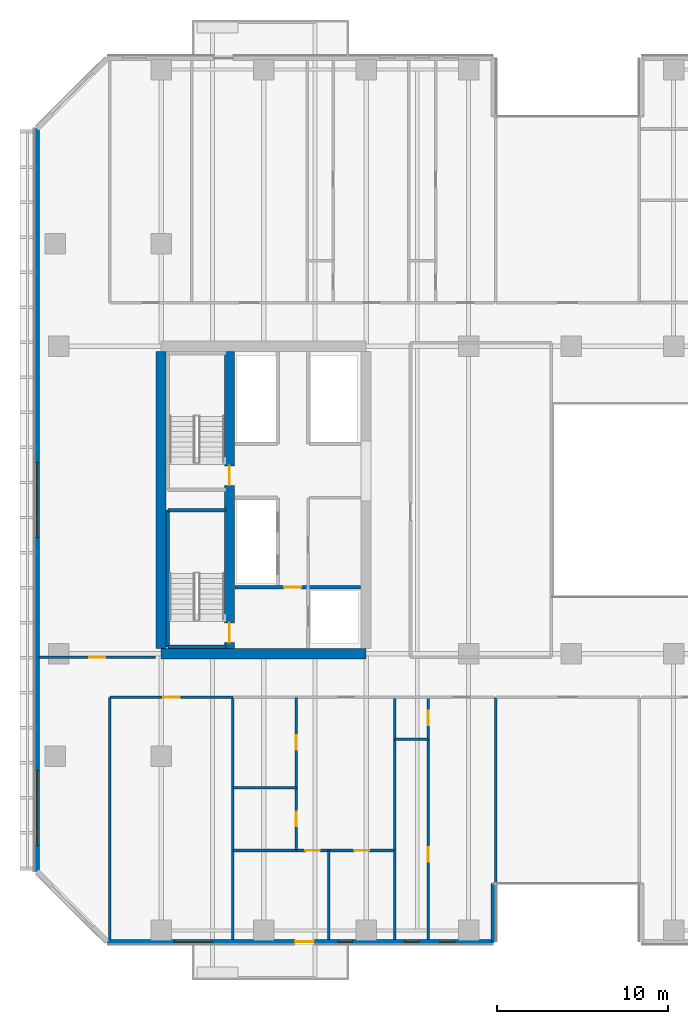
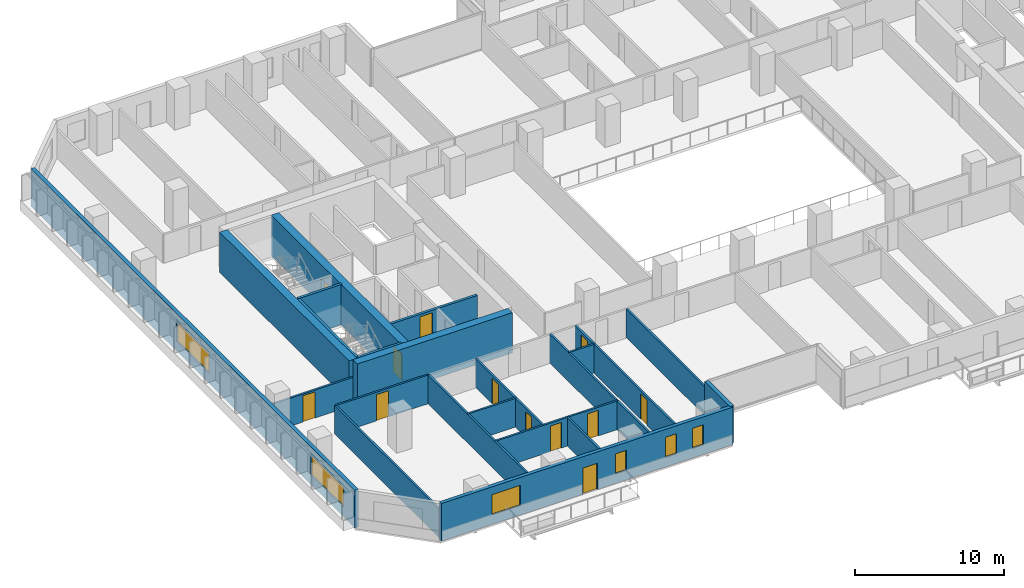
# One storey, part 10 of 26: 22 walls, 12 doors, 6 windows, 18 openings.
"""IFC4 building model written with IfcOpenShell, lengths in metres."""

from ifc_helpers import new_model, si_unit, direction, frame, frame_2d, origin, place, context, subcontext, project, spatial, rectangle, extrude, material, layer, layer_set, type_object, element, fill, save


model = new_model("IFC4")

# Units and contexts
model_context = context("Model", 3, precision=1e-05, world=origin(), true_north=direction((0.0, 1.0)))
body_context = subcontext(model_context, "Body", "Model", "MODEL_VIEW")
ifc_project = project(units=[si_unit("LENGTHUNIT", "METRE"), si_unit("AREAUNIT", "SQUARE_METRE"), si_unit("VOLUMEUNIT", "CUBIC_METRE"), si_unit("PLANEANGLEUNIT", "RADIAN"), si_unit("MASSUNIT", "GRAM", prefix="KILO")], contexts=[model_context])

# Site, building, storey
site_placement = place(None, origin())
site = spatial("IfcSite", under=ifc_project, at=site_placement, CompositionType="ELEMENT")
building_placement = place(site_placement, origin())
building = spatial("IfcBuilding", under=site, at=building_placement, Name="Tanjung Sevakor Pilgrim Tower", CompositionType="ELEMENT")
storey_placement = place(building_placement, frame((0.0, 0.0, 48.840087890625)))
storey = spatial("IfcBuildingStorey", under=building, at=storey_placement, Name="L13", CompositionType="ELEMENT", Elevation=48.840087890625)

# Walls
ifc_material_1 = material(Name="Concrete C60/75", Category="concrete")
ifc_layer_1 = layer(ifc_material_1, 0.60009765625)
ifc_layer_set_1 = layer_set([ifc_layer_1], Name="WALL-CW-600")
wall_type_1 = type_object("IfcWallType", Name="WALL-CW-600", PredefinedType="SHEAR", material=ifc_layer_set_1)
wall_1_placement = place(storey_placement, frame((24.0, 24.60009765625, 0.0), z_axis=(0.0, 0.0, 1.0), x_axis=(1.0, 0.0, 0.0)))
element("IfcWall", 1, at=wall_1_placement, inside=storey, type_object=wall_type_1, Name="L13 W Core South Shear Wall", PredefinedType="SHEAR", context=body_context, shape_type="SweptSolid", body=[
    extrude(rectangle(XDim=12.0, YDim=0.60009765625, at=frame_2d((6.0, 0.0))), origin(), (0.0, 0.0, 1.0), 3.2998046875),
])
wall_2_placement = place(storey_placement, frame((24.0, 24.89990234375, 0.0), z_axis=(0.0, 0.0, 1.0), x_axis=(0.0, 1.0, 0.0)))
element("IfcWall", 2, at=wall_2_placement, inside=storey, type_object=wall_type_1, Name="L13 W Core Outer Shear Wall", PredefinedType="SHEAR", context=body_context, shape_type="SweptSolid", body=[
    extrude(rectangle(XDim=17.400146484375, YDim=0.60009765625, at=frame_2d((8.7001953125, 0.0))), origin(), (0.0, 0.0, 1.0), 3.2998046875),
])

# Wall, openings, doors
wall_3_placement = place(storey_placement, frame((28.0, 24.89990234375, 0.0), z_axis=(0.0, 0.0, 1.0), x_axis=(0.0, 1.0, 0.0)))
wall_3 = element("IfcWall", 3, at=wall_3_placement, inside=storey, type_object=wall_type_1, Name="L13 W Core Stair Spine Wall", PredefinedType="SHEAR", context=body_context, shape_type="SweptSolid", body=[
    extrude(rectangle(XDim=17.400146484375, YDim=0.60009765625, at=frame_2d((8.7001953125, 0.0))), origin(), (0.0, 0.0, 1.0), 3.2998046875),
])
opening_1_placement = place(wall_3_placement, frame((0.35009765625, 0.0, 0.0)))
opening_1 = element("IfcOpeningElement", 4, at=opening_1_placement, cuts=wall_3, Name="Opening ID-ST1", PredefinedType="OPENING", context=body_context, shape_type="SweptSolid", body=[
    extrude(rectangle(XDim=1.14990234375, YDim=2.14990234375, at=frame_2d((0.574951171875, 1.074951171875))), frame((0.0, 0.31005859375, 0.0), z_axis=(0.0, -1.0, 0.0), x_axis=(1.0, 0.0, 0.0)), (0.0, 0.0, 1.0), 0.6201171875),
])
opening_2_placement = place(wall_3_placement, frame((9.550048828125, 0.0, 0.0)))
opening_2 = element("IfcOpeningElement", 5, at=opening_2_placement, cuts=wall_3, Name="Opening ID-ST1", PredefinedType="OPENING", context=body_context, shape_type="SweptSolid", body=[
    extrude(rectangle(XDim=1.14990234375, YDim=2.14990234375, at=frame_2d((0.574951171875, 1.074951171875))), frame((0.0, 0.31005859375, 0.0), z_axis=(0.0, -1.0, 0.0), x_axis=(1.0, 0.0, 0.0)), (0.0, 0.0, 1.0), 0.6201171875),
])
ifc_material_2 = material(Name="Fire-Rated Steel S355J2", Category="steel")
door_type_1 = type_object("IfcDoorType", Name="DT-FIRE-1150", OperationType="NOTDEFINED", PredefinedType="DOOR", material=ifc_material_2)
door_1_placement = place(opening_1_placement, origin())
door_1 = element("IfcDoor", 6, at=door_1_placement, inside=storey, type_object=door_type_1, Name="L13 TS-W1 Stair Fire Door", OperationType="SINGLE_SWING_RIGHT", OverallHeight=2.14990234375, OverallWidth=1.14990234375, PredefinedType="DOOR", context=body_context, shape_type="SweptSolid", body=[
    extrude(rectangle(XDim=1.14990234375, YDim=2.14990234375, at=frame_2d((0.574951171875, 1.074951171875))), frame((0.0, 0.02490234375, 0.0), z_axis=(0.0, -1.0, 0.0), x_axis=(1.0, 0.0, 0.0)), (0.0, 0.0, 1.0), 0.050048828125),
])
fill(opening_1, door_1)
door_2_placement = place(opening_2_placement, origin())
door_2 = element("IfcDoor", 7, at=door_2_placement, inside=storey, type_object=door_type_1, Name="L13 TS-W2 Stair Fire Door", OperationType="SINGLE_SWING_LEFT", OverallHeight=2.14990234375, OverallWidth=1.14990234375, PredefinedType="DOOR", context=body_context, shape_type="SweptSolid", body=[
    extrude(rectangle(XDim=1.14990234375, YDim=2.14990234375, at=frame_2d((0.574951171875, 1.074951171875))), frame((0.0, 0.02490234375, 0.0), z_axis=(0.0, -1.0, 0.0), x_axis=(1.0, 0.0, 0.0)), (0.0, 0.0, 1.0), 0.050048828125),
])
fill(opening_2, door_2)

# Wall, opening, door
ifc_material_3 = material(Name="Concrete C40/50", Category="concrete")
ifc_layer_2 = layer(ifc_material_3, 0.14990234375)
ifc_layer_set_2 = layer_set([ifc_layer_2], Name="WT-COMP-150")
wall_type_2 = type_object("IfcWallType", Name="WT-COMP-150", PredefinedType="SOLIDWALL", material=ifc_layer_set_2)
wall_4_placement = place(storey_placement, frame((16.840087890625, 24.39990234375, 0.0), z_axis=(0.0, 0.0, 1.0), x_axis=(1.0, 0.0, 0.0)))
wall_4 = element("IfcWall", 8, at=wall_4_placement, inside=storey, type_object=wall_type_2, Name="L13 Partition IW-L13-029", PredefinedType="SOLIDWALL", context=body_context, shape_type="SweptSolid", body=[
    extrude(rectangle(XDim=6.83984375, YDim=0.14990234375, at=frame_2d((3.419921875, 0.0))), origin(), (0.0, 0.0, 1.0), 2.295166015625),
])
opening_3_placement = place(wall_4_placement, frame((2.945068359375, 0.0, 0.0)))
opening_3 = element("IfcOpeningElement", 9, at=opening_3_placement, cuts=wall_4, Name="Opening ID-FD2", PredefinedType="OPENING", context=body_context, shape_type="SweptSolid", body=[
    extrude(rectangle(XDim=0.949951171875, YDim=2.14990234375, at=frame_2d((0.47509765625, 1.074951171875))), frame((0.0, 0.0849609375, 0.0), z_axis=(0.0, -1.0, 0.0), x_axis=(1.0, 0.0, 0.0)), (0.0, 0.0, 1.0), 0.169921875),
])
ifc_material_4 = material(Name="Fire-Rated Timber", Category="wood")
door_type_2 = type_object("IfcDoorType", Name="DT-FIRE-950", OperationType="NOTDEFINED", PredefinedType="DOOR", material=ifc_material_4)
door_3_placement = place(opening_3_placement, origin())
door_3 = element("IfcDoor", 10, at=door_3_placement, inside=storey, type_object=door_type_2, Name="Study Room Entrance", OperationType="SINGLE_SWING_LEFT", OverallHeight=2.14990234375, OverallWidth=0.949951171875, PredefinedType="DOOR", context=body_context, shape_type="SweptSolid", body=[
    extrude(rectangle(XDim=0.949951171875, YDim=2.14990234375, at=frame_2d((0.47509765625, 1.074951171875))), frame((0.0, 0.02490234375, 0.0), z_axis=(0.0, -1.0, 0.0), x_axis=(1.0, 0.0, 0.0)), (0.0, 0.0, 1.0), 0.050048828125),
])
fill(opening_3, door_3)

# Walls
for number, where, z_axis, x_axis, name in (
    (11, (43.60009765625, 7.8798828125, 0.0), (0.0, 0.0, 1.0), (0.0, 1.0, 0.0), "L13 Partition IW-L13-037"),
    (12, (21.0, 7.8798828125, 0.0), (0.0, 0.0, 1.0), (0.0, 1.0, 0.0), "L13 Partition IW-L13-042"),
    (13, (28.20654296875, 7.8798828125, 0.0), (0.0, 0.0, 1.0), (0.0, 1.0, 0.0), "L13 Partition IW-L13-043"),
):
    element("IfcWall", number, at=place(storey_placement, frame(where, z_axis=z_axis, x_axis=x_axis)), inside=storey, type_object=wall_type_2, Name=name, PredefinedType="SOLIDWALL", context=body_context, shape_type="SweptSolid", body=[
        extrude(rectangle(XDim=14.170166015625, YDim=0.14990234375, at=frame_2d((7.0849609375, 0.0))), origin(), (0.0, 0.0, 1.0), 2.35009765625),
    ])

# Wall, opening, door
wall_5_placement = place(storey_placement, frame((21.0, 22.050048828125, 0.0), z_axis=(0.0, 0.0, 1.0), x_axis=(1.0, 0.0, 0.0)))
wall_5 = element("IfcWall", 14, at=wall_5_placement, inside=storey, type_object=wall_type_2, Name="L13 Partition IW-L13-044", PredefinedType="SOLIDWALL", context=body_context, shape_type="SweptSolid", body=[
    extrude(rectangle(XDim=7.20654296875, YDim=0.14990234375, at=frame_2d((3.603271484375, 0.0))), origin(), (0.0, 0.0, 1.0), 2.35009765625),
])
opening_4_placement = place(wall_5_placement, frame((3.128173828125, 0.0, 0.0)))
opening_4 = element("IfcOpeningElement", 15, at=opening_4_placement, cuts=wall_5, Name="Opening ID-FD2", PredefinedType="OPENING", context=body_context, shape_type="SweptSolid", body=[
    extrude(rectangle(XDim=0.949951171875, YDim=2.14990234375, at=frame_2d((0.47509765625, 1.074951171875))), frame((0.0, 0.0849609375, 0.0), z_axis=(0.0, -1.0, 0.0), x_axis=(1.0, 0.0, 0.0)), (0.0, 0.0, 1.0), 0.169921875),
])
door_4_placement = place(opening_4_placement, origin())
door_4 = element("IfcDoor", 16, at=door_4_placement, inside=storey, type_object=door_type_2, Name="Study Room Entrance", OperationType="SINGLE_SWING_RIGHT", OverallHeight=2.14990234375, OverallWidth=0.949951171875, PredefinedType="DOOR", context=body_context, shape_type="SweptSolid", body=[
    extrude(rectangle(XDim=0.949951171875, YDim=2.14990234375, at=frame_2d((0.47509765625, 1.074951171875))), frame((0.0, 0.02490234375, 0.0), z_axis=(0.0, -1.0, 0.0), x_axis=(1.0, 0.0, 0.0)), (0.0, 0.0, 1.0), 0.050048828125),
])
fill(opening_4, door_4)

# Wall
wall_6_placement = place(storey_placement, frame((37.671875, 7.8798828125, 0.0), z_axis=(0.0, 0.0, 1.0), x_axis=(0.0, 1.0, 0.0)))
element("IfcWall", 17, at=wall_6_placement, inside=storey, type_object=wall_type_2, Name="L13 Partition IW-L13-045", PredefinedType="SOLIDWALL", context=body_context, shape_type="SweptSolid", body=[
    extrude(rectangle(XDim=14.170166015625, YDim=0.14990234375, at=frame_2d((7.0849609375, 0.0))), origin(), (0.0, 0.0, 1.0), 2.35009765625),
])

# Wall, openings, door, windows
ifc_material_5 = material(Name="Precast concrete C45/55", Category="concrete")
ifc_layer_3 = layer(ifc_material_5, 0.280029296875)
ifc_layer_set_3 = layer_set([ifc_layer_3], Name="WT-EW-STN2")
wall_type_3 = type_object("IfcWallType", Name="WT-EW-STN2", PredefinedType="SOLIDWALL", material=ifc_layer_set_3)
wall_7_placement = place(storey_placement, frame((20.85791015625, 7.739990234375, 0.0), z_axis=(0.0, 0.0, 1.0), x_axis=(1.0, 0.0, 0.0)))
wall_7 = element("IfcWall", 18, at=wall_7_placement, inside=storey, type_object=wall_type_3, Name="L13 MAIN Exterior Wall 1", PredefinedType="SOLIDWALL", context=body_context, shape_type="SweptSolid", body=[
    extrude(rectangle(XDim=22.60205078125, YDim=0.280029296875, at=frame_2d((11.301025390625, 0.0))), origin(), (0.0, 0.0, 1.0), 3.080078125),
])
opening_5_placement = place(wall_7_placement, frame((10.991943359375, 0.0, 0.0)))
opening_5 = element("IfcOpeningElement", 19, at=opening_5_placement, cuts=wall_7, Name="Opening ED-BAL-1100", PredefinedType="OPENING", context=body_context, shape_type="SweptSolid", body=[
    extrude(rectangle(XDim=1.10009765625, YDim=2.14990234375, at=frame_2d((0.550048828125, 1.074951171875))), frame((0.0, 0.14990234375, 0.0), z_axis=(0.0, -1.0, 0.0), x_axis=(1.0, 0.0, 0.0)), (0.0, 0.0, 1.0), 0.300048828125),
])
opening_6_placement = place(wall_7_placement, frame((3.92529296875, 0.0, 0.780029296875)))
opening_6 = element("IfcOpeningElement", 20, at=opening_6_placement, cuts=wall_7, Name="Opening WN-Z1-1660", PredefinedType="OPENING", context=body_context, shape_type="SweptSolid", body=[
    extrude(rectangle(XDim=2.199951171875, YDim=1.659912109375, at=frame_2d((1.10009765625, 0.830078125))), frame((0.0, 0.14990234375, 0.0), z_axis=(0.0, -1.0, 0.0), x_axis=(1.0, 0.0, 0.0)), (0.0, 0.0, 1.0), 0.300048828125),
])
opening_7_placement = place(wall_7_placement, frame((13.492919921875, 0.0, 0.780029296875)))
opening_7 = element("IfcOpeningElement", 21, at=opening_7_placement, cuts=wall_7, Name="Opening WN-SLM", PredefinedType="OPENING", context=body_context, shape_type="SweptSolid", body=[
    extrude(rectangle(XDim=0.85009765625, YDim=1.64990234375, at=frame_2d((0.425048828125, 0.824951171875))), frame((0.0, 0.14990234375, 0.0), z_axis=(0.0, -1.0, 0.0), x_axis=(1.0, 0.0, 0.0)), (0.0, 0.0, 1.0), 0.300048828125),
])
opening_8_placement = place(wall_7_placement, frame((17.38623046875, 0.0, 0.780029296875)))
opening_8 = element("IfcOpeningElement", 22, at=opening_8_placement, cuts=wall_7, Name="Opening WN-SLM", PredefinedType="OPENING", context=body_context, shape_type="SweptSolid", body=[
    extrude(rectangle(XDim=0.85009765625, YDim=1.64990234375, at=frame_2d((0.425048828125, 0.824951171875))), frame((0.0, 0.14990234375, 0.0), z_axis=(0.0, -1.0, 0.0), x_axis=(1.0, 0.0, 0.0)), (0.0, 0.0, 1.0), 0.300048828125),
])
opening_9_placement = place(wall_7_placement, frame((19.47021484375, 0.0, 0.780029296875)))
opening_9 = element("IfcOpeningElement", 23, at=opening_9_placement, cuts=wall_7, Name="Opening WN-SLM", PredefinedType="OPENING", context=body_context, shape_type="SweptSolid", body=[
    extrude(rectangle(XDim=0.85009765625, YDim=1.64990234375, at=frame_2d((0.425048828125, 0.824951171875))), frame((0.0, 0.14990234375, 0.0), z_axis=(0.0, -1.0, 0.0), x_axis=(1.0, 0.0, 0.0)), (0.0, 0.0, 1.0), 0.300048828125),
])
ifc_material_6 = material(Name="Anodised Aluminium and Laminated Glass", Category="aluminium")
door_type_3 = type_object("IfcDoorType", Name="DTYP-ED-BAL-1100", OperationType="NOTDEFINED", PredefinedType="DOOR", material=ifc_material_6)
door_5_placement = place(opening_5_placement, frame((1.10009765625, 0.0, 0.0), z_axis=(0.0, 0.0, 1.0), x_axis=(-1.0, 0.0, 0.0)))
door_5 = element("IfcDoor", 24, at=door_5_placement, inside=storey, type_object=door_type_3, Name="L13 Balcony Door MAIN-S1", OperationType="SINGLE_SWING_RIGHT", OverallHeight=2.14990234375, OverallWidth=1.10009765625, PredefinedType="DOOR", context=body_context, shape_type="SweptSolid", body=[
    extrude(rectangle(XDim=1.10009765625, YDim=2.14990234375, at=frame_2d((0.550048828125, 1.074951171875))), frame((0.0, 0.02490234375, 0.0), z_axis=(0.0, -1.0, 0.0), x_axis=(1.0, 0.0, 0.0)), (0.0, 0.0, 1.0), 0.050048828125),
])
fill(opening_5, door_5)
ifc_material_7 = material(Name="Thermally Broken Aluminium and Low-E Glass", Category="aluminium")
window_type_1 = type_object("IfcWindowType", Name="WTYP-WN-SLM", PartitioningType="SINGLE_PANEL", PredefinedType="WINDOW", material=ifc_material_7)
window_1_placement = place(opening_7_placement, origin())
window_1 = element("IfcWindow", 25, at=window_1_placement, inside=storey, type_object=window_type_1, Name="L13 Facade Window 02", OverallHeight=1.64990234375, OverallWidth=0.85009765625, PartitioningType="SINGLE_PANEL", PredefinedType="WINDOW", context=body_context, shape_type="SweptSolid", body=[
    extrude(rectangle(XDim=0.85009765625, YDim=1.64990234375, at=frame_2d((0.425048828125, 0.824951171875))), frame((0.0, 0.030029296875, 0.0), z_axis=(0.0, -1.0, 0.0), x_axis=(1.0, 0.0, 0.0)), (0.0, 0.0, 1.0), 0.06005859375),
])
fill(opening_7, window_1)
window_2_placement = place(opening_8_placement, origin())
window_2 = element("IfcWindow", 26, at=window_2_placement, inside=storey, type_object=window_type_1, Name="L13 Facade Window 03", OverallHeight=1.64990234375, OverallWidth=0.85009765625, PartitioningType="SINGLE_PANEL", PredefinedType="WINDOW", context=body_context, shape_type="SweptSolid", body=[
    extrude(rectangle(XDim=0.85009765625, YDim=1.64990234375, at=frame_2d((0.425048828125, 0.824951171875))), frame((0.0, 0.030029296875, 0.0), z_axis=(0.0, -1.0, 0.0), x_axis=(1.0, 0.0, 0.0)), (0.0, 0.0, 1.0), 0.06005859375),
])
fill(opening_8, window_2)
window_3_placement = place(opening_9_placement, origin())
window_3 = element("IfcWindow", 27, at=window_3_placement, inside=storey, type_object=window_type_1, Name="L13 Facade Window 04", OverallHeight=1.64990234375, OverallWidth=0.85009765625, PartitioningType="SINGLE_PANEL", PredefinedType="WINDOW", context=body_context, shape_type="SweptSolid", body=[
    extrude(rectangle(XDim=0.85009765625, YDim=1.64990234375, at=frame_2d((0.425048828125, 0.824951171875))), frame((0.0, 0.030029296875, 0.0), z_axis=(0.0, -1.0, 0.0), x_axis=(1.0, 0.0, 0.0)), (0.0, 0.0, 1.0), 0.06005859375),
])
fill(opening_9, window_3)
ifc_material_8 = material(Name="Thermally Broken Aluminium and Low-E Glass", Category="aluminium")
window_type_2 = type_object("IfcWindowType", Name="WTYP-WN-Z1-1660", PartitioningType="DOUBLE_PANEL_VERTICAL", PredefinedType="WINDOW", material=ifc_material_8)
window_4_placement = place(opening_6_placement, origin())
window_4 = element("IfcWindow", 28, at=window_4_placement, inside=storey, type_object=window_type_2, Name="L13 Facade Window 01", OverallHeight=1.659912109375, OverallWidth=2.199951171875, PartitioningType="SINGLE_PANEL", PredefinedType="WINDOW", context=body_context, shape_type="SweptSolid", body=[
    extrude(rectangle(XDim=2.199951171875, YDim=1.659912109375, at=frame_2d((1.10009765625, 0.830078125))), frame((0.0, 0.030029296875, 0.0), z_axis=(0.0, -1.0, 0.0), x_axis=(1.0, 0.0, 0.0)), (0.0, 0.0, 1.0), 0.06005859375),
])
fill(opening_6, window_4)

# Wall
wall_8_placement = place(storey_placement, frame((43.4599609375, 7.739990234375, 0.0), z_axis=(0.0, 0.0, 1.0), x_axis=(0.0, 1.0, 0.0)))
element("IfcWall", 29, at=wall_8_placement, inside=storey, type_object=wall_type_3, Name="L13 MAIN Exterior Wall 2", PredefinedType="SOLIDWALL", context=body_context, shape_type="SweptSolid", body=[
    extrude(rectangle(XDim=3.39990234375, YDim=0.280029296875, at=frame_2d((1.699951171875, 0.0))), origin(), (0.0, 0.0, 1.0), 3.080078125),
])

# Wall, openings, windows
wall_9_placement = place(storey_placement, frame((16.739990234375, 55.342041015625, 0.0), z_axis=(0.0, 0.0, 1.0), x_axis=(0.0, -1.0, 0.0)))
wall_9 = element("IfcWall", 30, at=wall_9_placement, inside=storey, type_object=wall_type_3, Name="L13 MAIN Exterior Wall 15", PredefinedType="SOLIDWALL", context=body_context, shape_type="SweptSolid", body=[
    extrude(rectangle(XDim=43.484130859375, YDim=0.280029296875, at=frame_2d((21.7421875, 0.0))), origin(), (0.0, 0.0, 1.0), 3.080078125),
])
opening_10_placement = place(wall_9_placement, frame((19.5419921875, 0.0, 0.780029296875)))
opening_10 = element("IfcOpeningElement", 31, at=opening_10_placement, cuts=wall_9, Name="Opening WN-ENDW-1660", PredefinedType="OPENING", context=body_context, shape_type="SweptSolid", body=[
    extrude(rectangle(XDim=4.39990234375, YDim=1.659912109375, at=frame_2d((2.199951171875, 0.830078125))), frame((0.0, 0.14990234375, 0.0), z_axis=(0.0, -1.0, 0.0), x_axis=(1.0, 0.0, 0.0)), (0.0, 0.0, 1.0), 0.300048828125),
])
opening_11_placement = place(wall_9_placement, frame((37.572998046875, 0.0, 0.780029296875)))
opening_11 = element("IfcOpeningElement", 32, at=opening_11_placement, cuts=wall_9, Name="Opening WN-ENDW-1660", PredefinedType="OPENING", context=body_context, shape_type="SweptSolid", body=[
    extrude(rectangle(XDim=4.39990234375, YDim=1.659912109375, at=frame_2d((2.199951171875, 0.830078125))), frame((0.0, 0.14990234375, 0.0), z_axis=(0.0, -1.0, 0.0), x_axis=(1.0, 0.0, 0.0)), (0.0, 0.0, 1.0), 0.300048828125),
])
ifc_material_9 = material(Name="Thermally Broken Aluminium and Low-E Glass", Category="aluminium")
window_type_3 = type_object("IfcWindowType", Name="WTYP-WN-ENDW-1660", PartitioningType="DOUBLE_PANEL_VERTICAL", PredefinedType="WINDOW", material=ifc_material_9)
window_5_placement = place(opening_10_placement, origin())
window_5 = element("IfcWindow", 33, at=window_5_placement, inside=storey, type_object=window_type_3, Name="L13 Facade Window 01", OverallHeight=1.659912109375, OverallWidth=4.39990234375, PartitioningType="SINGLE_PANEL", PredefinedType="WINDOW", context=body_context, shape_type="SweptSolid", body=[
    extrude(rectangle(XDim=4.39990234375, YDim=1.659912109375, at=frame_2d((2.199951171875, 0.830078125))), frame((0.0, 0.030029296875, 0.0), z_axis=(0.0, -1.0, 0.0), x_axis=(1.0, 0.0, 0.0)), (0.0, 0.0, 1.0), 0.06005859375),
])
fill(opening_10, window_5)
window_6_placement = place(opening_11_placement, origin())
window_6 = element("IfcWindow", 34, at=window_6_placement, inside=storey, type_object=window_type_3, Name="L13 Facade Window 02", OverallHeight=1.659912109375, OverallWidth=4.39990234375, PartitioningType="SINGLE_PANEL", PredefinedType="WINDOW", context=body_context, shape_type="SweptSolid", body=[
    extrude(rectangle(XDim=4.39990234375, YDim=1.659912109375, at=frame_2d((2.199951171875, 0.830078125))), frame((0.0, 0.030029296875, 0.0), z_axis=(0.0, -1.0, 0.0), x_axis=(1.0, 0.0, 0.0)), (0.0, 0.0, 1.0), 0.06005859375),
])
fill(opening_11, window_6)

# Walls
ifc_material_10 = material(Name="Concrete C40/50", Category="concrete")
ifc_layer_4 = layer(ifc_material_10, 0.199951171875)
ifc_layer_set_4 = layer_set([ifc_layer_4], Name="WT-FIRE-200")
wall_type_4 = type_object("IfcWallType", Name="WT-FIRE-200", PredefinedType="SOLIDWALL", material=ifc_layer_set_4)
for number, where, z_axis, x_axis, name in (
    (35, (24.39990234375, 25.0, 0.0), (0.0, 0.0, 1.0), (1.0, 0.0, 0.0), "L13 TS-W1 Shaft Wall 1"),
    (36, (27.800048828125, 33.0, 0.0), (0.0, 0.0, 1.0), (-1.0, 0.0, 0.0), "L13 TS-W1 Shaft Wall 2"),
):
    element("IfcWall", number, at=place(storey_placement, frame(where, z_axis=z_axis, x_axis=x_axis)), inside=storey, type_object=wall_type_4, Name=name, PredefinedType="SOLIDWALL", context=body_context, shape_type="SweptSolid", body=[
        extrude(rectangle(XDim=3.400146484375, YDim=0.199951171875, at=frame_2d((1.7001953125, 0.0))), origin(), (0.0, 0.0, 1.0), 3.2998046875),
    ])
wall_10_placement = place(storey_placement, frame((24.39990234375, 33.0, 0.0), z_axis=(0.0, 0.0, 1.0), x_axis=(0.0, -1.0, 0.0)))
element("IfcWall", 37, at=wall_10_placement, inside=storey, type_object=wall_type_4, Name="L13 TS-W1 Shaft Wall 3", PredefinedType="SOLIDWALL", context=body_context, shape_type="SweptSolid", body=[
    extrude(rectangle(XDim=8.0, YDim=0.199951171875, at=frame_2d((4.0, 0.0))), origin(), (0.0, 0.0, 1.0), 3.2998046875),
])

# Wall, opening, door
ifc_material_11 = material(Name="Concrete C40/50", Category="concrete")
ifc_layer_5 = layer(ifc_material_11, 0.199951171875)
ifc_layer_set_5 = layer_set([ifc_layer_5], Name="WT-FPRT-200")
wall_type_5 = type_object("IfcWallType", Name="WT-FPRT-200", PredefinedType="SOLIDWALL", material=ifc_layer_set_5)
wall_11_placement = place(storey_placement, frame((28.320068359375, 28.5, 0.0), z_axis=(0.0, 0.0, 1.0), x_axis=(1.0, 0.0, 0.0)))
wall_11 = element("IfcWall", 38, at=wall_11_placement, inside=storey, type_object=wall_type_5, Name="L13 Partition IW-L13-002", PredefinedType="SOLIDWALL", context=body_context, shape_type="SweptSolid", body=[
    extrude(rectangle(XDim=7.35986328125, YDim=0.199951171875, at=frame_2d((3.679931640625, 0.0))), origin(), (0.0, 0.0, 1.0), 2.35009765625),
])
opening_12_placement = place(wall_11_placement, frame((2.8798828125, 0.0, 0.0)))
opening_12 = element("IfcOpeningElement", 39, at=opening_12_placement, cuts=wall_11, Name="Opening ID-FD1", PredefinedType="OPENING", context=body_context, shape_type="SweptSolid", body=[
    extrude(rectangle(XDim=1.0, YDim=2.14990234375, at=frame_2d((0.5, 1.074951171875))), frame((0.0, 0.10986328125, 0.0), z_axis=(0.0, -1.0, 0.0), x_axis=(1.0, 0.0, 0.0)), (0.0, 0.0, 1.0), 0.219970703125),
])
ifc_material_12 = material(Name="Fire-Rated Steel S355J2", Category="steel")
door_type_4 = type_object("IfcDoorType", Name="DT-FIRE-1000", OperationType="NOTDEFINED", PredefinedType="DOOR", material=ifc_material_12)
door_6_placement = place(opening_12_placement, origin())
door_6 = element("IfcDoor", 40, at=door_6_placement, inside=storey, type_object=door_type_4, Name="Fire Lobby Door W", OperationType="SINGLE_SWING_RIGHT", OverallHeight=2.14990234375, OverallWidth=1.0, PredefinedType="DOOR", context=body_context, shape_type="SweptSolid", body=[
    extrude(rectangle(XDim=1.0, YDim=2.14990234375, at=frame_2d((0.5, 1.074951171875))), frame((0.0, 0.02490234375, 0.0), z_axis=(0.0, -1.0, 0.0), x_axis=(1.0, 0.0, 0.0)), (0.0, 0.0, 1.0), 0.050048828125),
])
fill(opening_12, door_6)

# Wall
ifc_material_13 = material(Name="Gypsum Board Partition", Category="gypsum board")
ifc_layer_6 = layer(ifc_material_13, 0.14990234375)
ifc_layer_set_6 = layer_set([ifc_layer_6], Name="WT-PART-150")
wall_type_6 = type_object("IfcWallType", Name="WT-PART-150", PredefinedType="PARTITIONING", material=ifc_layer_set_6)
wall_12_placement = place(storey_placement, frame((28.20654296875, 16.7578125, 0.0), z_axis=(0.0, 0.0, 1.0), x_axis=(1.0, 0.0, 0.0)))
element("IfcWall", 41, at=wall_12_placement, inside=storey, type_object=wall_type_6, Name="L13 Partition IW-L13-046", PredefinedType="PARTITIONING", context=body_context, shape_type="SweptSolid", body=[
    extrude(rectangle(XDim=3.71337890625, YDim=0.14990234375, at=frame_2d((1.856689453125, 0.0))), origin(), (0.0, 0.0, 1.0), 2.35009765625),
])

# Wall, openings, doors
wall_13_placement = place(storey_placement, frame((31.919921875, 13.080078125, 0.0), z_axis=(0.0, 0.0, 1.0), x_axis=(0.0, 1.0, 0.0)))
wall_13 = element("IfcWall", 42, at=wall_13_placement, inside=storey, type_object=wall_type_6, Name="L13 Partition IW-L13-047", PredefinedType="PARTITIONING", context=body_context, shape_type="SweptSolid", body=[
    extrude(rectangle(XDim=8.969970703125, YDim=0.14990234375, at=frame_2d((4.48486328125, 0.0))), origin(), (0.0, 0.0, 1.0), 2.35009765625),
])
opening_13_placement = place(wall_13_placement, frame((1.413818359375, 0.0, 0.0)))
opening_13 = element("IfcOpeningElement", 43, at=opening_13_placement, cuts=wall_13, Name="Opening ID-WC1", PredefinedType="OPENING", context=body_context, shape_type="SweptSolid", body=[
    extrude(rectangle(XDim=0.85009765625, YDim=2.10009765625, at=frame_2d((0.425048828125, 1.050048828125))), frame((0.0, 0.0849609375, 0.0), z_axis=(0.0, -1.0, 0.0), x_axis=(1.0, 0.0, 0.0)), (0.0, 0.0, 1.0), 0.169921875),
])
opening_14_placement = place(wall_13_placement, frame((5.89892578125, 0.0, 0.0)))
opening_14 = element("IfcOpeningElement", 44, at=opening_14_placement, cuts=wall_13, Name="Opening ID-WC1", PredefinedType="OPENING", context=body_context, shape_type="SweptSolid", body=[
    extrude(rectangle(XDim=0.85009765625, YDim=2.10009765625, at=frame_2d((0.425048828125, 1.050048828125))), frame((0.0, 0.0849609375, 0.0), z_axis=(0.0, -1.0, 0.0), x_axis=(1.0, 0.0, 0.0)), (0.0, 0.0, 1.0), 0.169921875),
])
ifc_material_14 = material(Name="Moisture-Resistant Timber", Category="wood")
door_type_5 = type_object("IfcDoorType", Name="DT-INT-850", OperationType="NOTDEFINED", PredefinedType="DOOR", material=ifc_material_14)
door_7_placement = place(opening_13_placement, origin())
door_7 = element("IfcDoor", 45, at=door_7_placement, inside=storey, type_object=door_type_5, Name="Suite Bathroom Door", OperationType="SINGLE_SWING_LEFT", OverallHeight=2.10009765625, OverallWidth=0.85009765625, PredefinedType="DOOR", context=body_context, shape_type="SweptSolid", body=[
    extrude(rectangle(XDim=0.85009765625, YDim=2.10009765625, at=frame_2d((0.425048828125, 1.050048828125))), frame((0.0, 0.02490234375, 0.0), z_axis=(0.0, -1.0, 0.0), x_axis=(1.0, 0.0, 0.0)), (0.0, 0.0, 1.0), 0.050048828125),
])
fill(opening_13, door_7)
door_8_placement = place(opening_14_placement, origin())
door_8 = element("IfcDoor", 46, at=door_8_placement, inside=storey, type_object=door_type_5, Name="Suite Kitchenette Door", OperationType="SINGLE_SWING_RIGHT", OverallHeight=2.10009765625, OverallWidth=0.85009765625, PredefinedType="DOOR", context=body_context, shape_type="SweptSolid", body=[
    extrude(rectangle(XDim=0.85009765625, YDim=2.10009765625, at=frame_2d((0.425048828125, 1.050048828125))), frame((0.0, 0.02490234375, 0.0), z_axis=(0.0, -1.0, 0.0), x_axis=(1.0, 0.0, 0.0)), (0.0, 0.0, 1.0), 0.050048828125),
])
fill(opening_14, door_8)

# Wall
wall_14_placement = place(storey_placement, frame((33.820068359375, 7.8798828125, 0.0), z_axis=(0.0, 0.0, 1.0), x_axis=(0.0, 1.0, 0.0)))
element("IfcWall", 47, at=wall_14_placement, inside=storey, type_object=wall_type_6, Name="L13 Partition IW-L13-048", PredefinedType="PARTITIONING", context=body_context, shape_type="SweptSolid", body=[
    extrude(rectangle(XDim=5.2001953125, YDim=0.14990234375, at=frame_2d((2.60009765625, 0.0))), origin(), (0.0, 0.0, 1.0), 2.35009765625),
])

# Wall, openings, doors
wall_15_placement = place(storey_placement, frame((28.20654296875, 13.080078125, 0.0), z_axis=(0.0, 0.0, 1.0), x_axis=(1.0, 0.0, 0.0)))
wall_15 = element("IfcWall", 48, at=wall_15_placement, inside=storey, type_object=wall_type_6, Name="L13 Partition IW-L13-049", PredefinedType="PARTITIONING", context=body_context, shape_type="SweptSolid", body=[
    extrude(rectangle(XDim=9.46533203125, YDim=0.14990234375, at=frame_2d((4.732666015625, 0.0))), origin(), (0.0, 0.0, 1.0), 2.35009765625),
])
opening_15_placement = place(wall_15_placement, frame((4.238525390625, 0.0, 0.0)))
opening_15 = element("IfcOpeningElement", 49, at=opening_15_placement, cuts=wall_15, Name="Opening ID-WC1", PredefinedType="OPENING", context=body_context, shape_type="SweptSolid", body=[
    extrude(rectangle(XDim=0.85009765625, YDim=2.10009765625, at=frame_2d((0.425048828125, 1.050048828125))), frame((0.0, 0.0849609375, 0.0), z_axis=(0.0, -1.0, 0.0), x_axis=(1.0, 0.0, 0.0)), (0.0, 0.0, 1.0), 0.169921875),
])
opening_16_placement = place(wall_15_placement, frame((7.114501953125, 0.0, 0.0)))
opening_16 = element("IfcOpeningElement", 50, at=opening_16_placement, cuts=wall_15, Name="Opening ID-WC1", PredefinedType="OPENING", context=body_context, shape_type="SweptSolid", body=[
    extrude(rectangle(XDim=0.85009765625, YDim=2.10009765625, at=frame_2d((0.425048828125, 1.050048828125))), frame((0.0, 0.0849609375, 0.0), z_axis=(0.0, -1.0, 0.0), x_axis=(1.0, 0.0, 0.0)), (0.0, 0.0, 1.0), 0.169921875),
])
door_9_placement = place(opening_15_placement, origin())
door_9 = element("IfcDoor", 51, at=door_9_placement, inside=storey, type_object=door_type_5, Name="Suite Bedroom 1 Door", OperationType="SINGLE_SWING_LEFT", OverallHeight=2.10009765625, OverallWidth=0.85009765625, PredefinedType="DOOR", context=body_context, shape_type="SweptSolid", body=[
    extrude(rectangle(XDim=0.85009765625, YDim=2.10009765625, at=frame_2d((0.425048828125, 1.050048828125))), frame((0.0, 0.02490234375, 0.0), z_axis=(0.0, -1.0, 0.0), x_axis=(1.0, 0.0, 0.0)), (0.0, 0.0, 1.0), 0.050048828125),
])
fill(opening_15, door_9)
door_10_placement = place(opening_16_placement, origin())
door_10 = element("IfcDoor", 52, at=door_10_placement, inside=storey, type_object=door_type_5, Name="Suite Bedroom 2 Door", OperationType="SINGLE_SWING_RIGHT", OverallHeight=2.10009765625, OverallWidth=0.85009765625, PredefinedType="DOOR", context=body_context, shape_type="SweptSolid", body=[
    extrude(rectangle(XDim=0.85009765625, YDim=2.10009765625, at=frame_2d((0.425048828125, 1.050048828125))), frame((0.0, 0.02490234375, 0.0), z_axis=(0.0, -1.0, 0.0), x_axis=(1.0, 0.0, 0.0)), (0.0, 0.0, 1.0), 0.050048828125),
])
fill(opening_16, door_10)

# Wall
wall_16_placement = place(storey_placement, frame((37.671875, 19.60009765625, 0.0), z_axis=(0.0, 0.0, 1.0), x_axis=(1.0, 0.0, 0.0)))
element("IfcWall", 53, at=wall_16_placement, inside=storey, type_object=wall_type_6, Name="L13 Partition IW-L13-051", PredefinedType="PARTITIONING", context=body_context, shape_type="SweptSolid", body=[
    extrude(rectangle(XDim=1.974609375, YDim=0.14990234375, at=frame_2d((0.9873046875, 0.0))), origin(), (0.0, 0.0, 1.0), 2.35009765625),
])

# Wall, openings, doors
wall_17_placement = place(storey_placement, frame((39.646484375, 7.8798828125, 0.0), z_axis=(0.0, 0.0, 1.0), x_axis=(0.0, 1.0, 0.0)))
wall_17 = element("IfcWall", 54, at=wall_17_placement, inside=storey, type_object=wall_type_6, Name="L13 Partition IW-L13-052", PredefinedType="PARTITIONING", context=body_context, shape_type="SweptSolid", body=[
    extrude(rectangle(XDim=14.170166015625, YDim=0.14990234375, at=frame_2d((7.0849609375, 0.0))), origin(), (0.0, 0.0, 1.0), 2.35009765625),
])
opening_17_placement = place(wall_17_placement, frame((4.548095703125, 0.0, 0.0)))
opening_17 = element("IfcOpeningElement", 55, at=opening_17_placement, cuts=wall_17, Name="Opening ID-WC1", PredefinedType="OPENING", context=body_context, shape_type="SweptSolid", body=[
    extrude(rectangle(XDim=0.85009765625, YDim=2.10009765625, at=frame_2d((0.425048828125, 1.050048828125))), frame((0.0, 0.0849609375, 0.0), z_axis=(0.0, -1.0, 0.0), x_axis=(1.0, 0.0, 0.0)), (0.0, 0.0, 1.0), 0.169921875),
])
opening_18_placement = place(wall_17_placement, frame((12.52001953125, 0.0, 0.0)))
opening_18 = element("IfcOpeningElement", 56, at=opening_18_placement, cuts=wall_17, Name="Opening ID-WC1", PredefinedType="OPENING", context=body_context, shape_type="SweptSolid", body=[
    extrude(rectangle(XDim=0.85009765625, YDim=2.10009765625, at=frame_2d((0.425048828125, 1.050048828125))), frame((0.0, 0.0849609375, 0.0), z_axis=(0.0, -1.0, 0.0), x_axis=(1.0, 0.0, 0.0)), (0.0, 0.0, 1.0), 0.169921875),
])
door_11_placement = place(opening_17_placement, origin())
door_11 = element("IfcDoor", 57, at=door_11_placement, inside=storey, type_object=door_type_5, Name="Study Nook Door", OperationType="SINGLE_SWING_RIGHT", OverallHeight=2.10009765625, OverallWidth=0.85009765625, PredefinedType="DOOR", context=body_context, shape_type="SweptSolid", body=[
    extrude(rectangle(XDim=0.85009765625, YDim=2.10009765625, at=frame_2d((0.425048828125, 1.050048828125))), frame((0.0, 0.02490234375, 0.0), z_axis=(0.0, -1.0, 0.0), x_axis=(1.0, 0.0, 0.0)), (0.0, 0.0, 1.0), 0.050048828125),
])
fill(opening_17, door_11)
door_12_placement = place(opening_18_placement, origin())
door_12 = element("IfcDoor", 58, at=door_12_placement, inside=storey, type_object=door_type_5, Name="Bathroom Door", OperationType="SINGLE_SWING_LEFT", OverallHeight=2.10009765625, OverallWidth=0.85009765625, PredefinedType="DOOR", context=body_context, shape_type="SweptSolid", body=[
    extrude(rectangle(XDim=0.85009765625, YDim=2.10009765625, at=frame_2d((0.425048828125, 1.050048828125))), frame((0.0, 0.02490234375, 0.0), z_axis=(0.0, -1.0, 0.0), x_axis=(1.0, 0.0, 0.0)), (0.0, 0.0, 1.0), 0.050048828125),
])
fill(opening_18, door_12)

save(model, "model.ifc")
